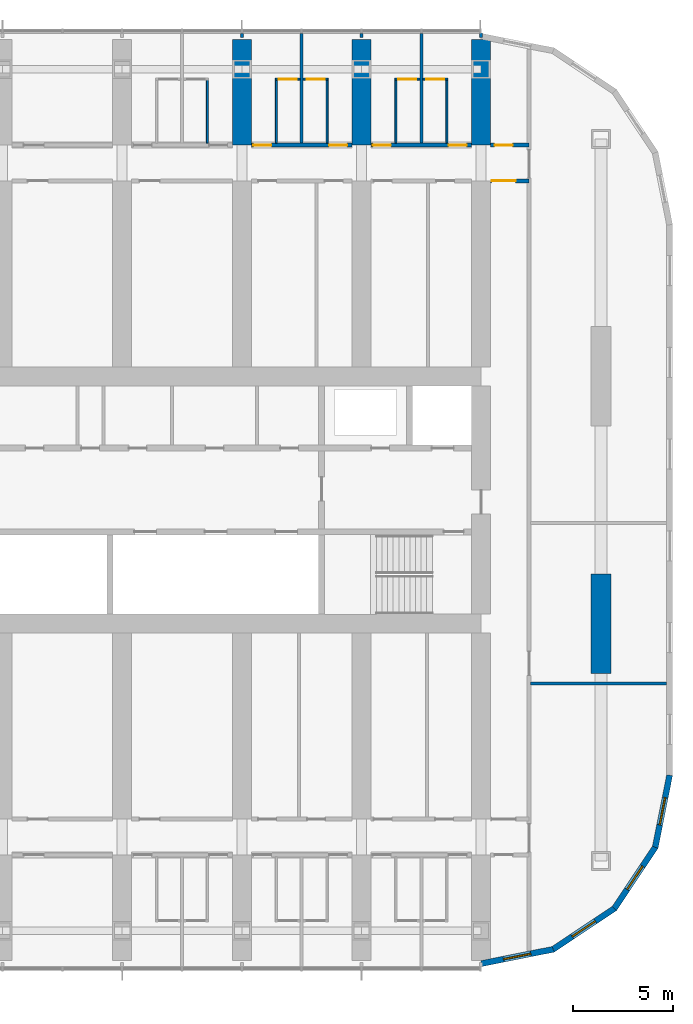
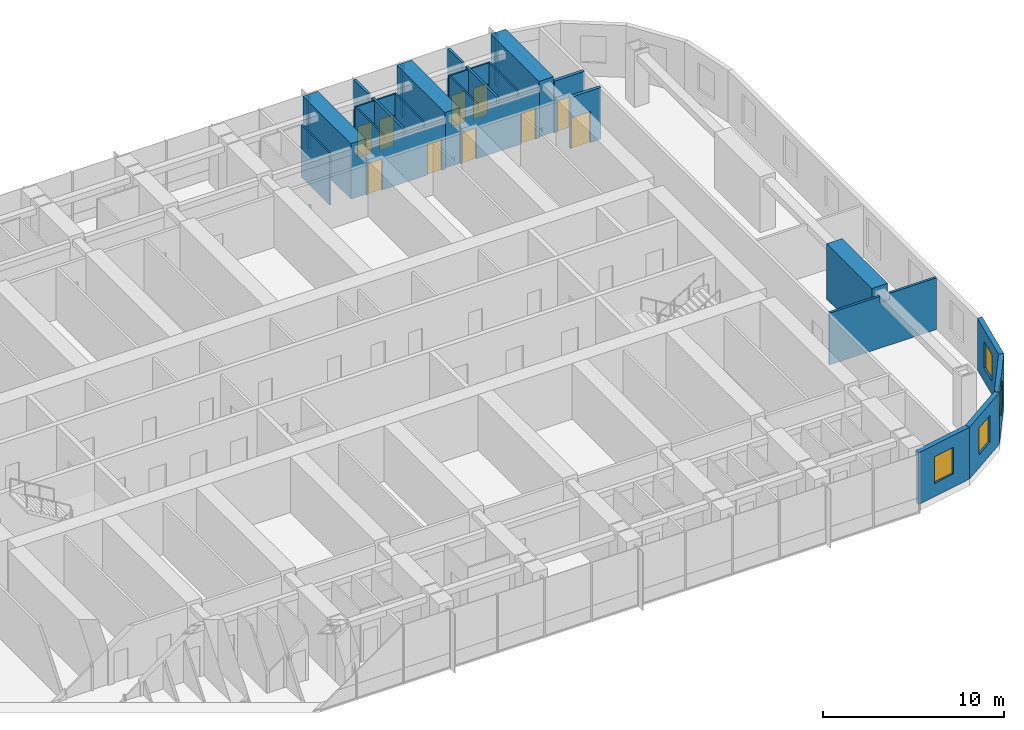
# One storey, part 18 of 26: 27 walls, 10 doors, 4 windows, 14 openings.
"""IFC4 building model written with IfcOpenShell, lengths in metres."""

from ifc_helpers import new_model, si_unit, direction, frame, frame_2d, origin, place, context, subcontext, project, spatial, polyline, rectangle, outline, extrude, material, layer, layer_set, type_object, element, fill, save


model = new_model("IFC4")

# Units and contexts
model_context = context("Model", 3, precision=1e-05, world=origin(), true_north=direction((0.0, 1.0)))
body_context = subcontext(model_context, "Body", "Model", "MODEL_VIEW")
ifc_project = project(units=[si_unit("LENGTHUNIT", "METRE"), si_unit("AREAUNIT", "SQUARE_METRE"), si_unit("VOLUMEUNIT", "CUBIC_METRE"), si_unit("PLANEANGLEUNIT", "RADIAN"), si_unit("MASSUNIT", "GRAM", prefix="KILO")], contexts=[model_context])

# Site, building, storey
site_placement = place(None, origin())
site = spatial("IfcSite", under=ifc_project, at=site_placement, CompositionType="ELEMENT")
building_placement = place(site_placement, origin())
building = spatial("IfcBuilding", under=site, at=building_placement, Name="Orbita Commons", CompositionType="ELEMENT")
storey_placement = place(building_placement, frame((0.0, 0.0, 114.39990234375)))
storey = spatial("IfcBuildingStorey", under=building, at=storey_placement, Name="L28", CompositionType="ELEMENT", Elevation=114.39990234375)

# Wall, openings, doors
ifc_material_1 = material(Name="Concrete blockwork", Category="masonry")
ifc_layer_1 = layer(ifc_material_1, 0.199951171875)
ifc_layer_set_1 = layer_set([ifc_layer_1], Name="Concrete blockwork")
wall_type_1 = type_object("IfcWallType", Name="Corridor wall 200 blockwork", PredefinedType="SOLIDWALL", material=ifc_layer_set_1)
wall_1_placement = place(storey_placement, frame((54.47509765625, 49.800048828125, 0.0), z_axis=(0.0, 0.0, 1.0), x_axis=(1.0, 0.0, 0.0)))
wall_1 = element("IfcWall", 1, at=wall_1_placement, inside=storey, type_object=wall_type_1, Name="Corridor wall 200 blockwork L28", PredefinedType="SOLIDWALL", context=body_context, shape_type="SweptSolid", body=[
    extrude(outline(polyline([(0.0, 0.0), (5.0498046875, 0.0), (5.050048828125, 3.10009765625), (0.0, 3.10009765625), (0.0, 0.0)])), frame((0.0, 0.10009765625, 0.0), z_axis=(0.0, -1.0, 0.0), x_axis=(1.0, 0.0, 0.0)), (0.0, 0.0, 1.0), 0.199951171875),
])
opening_1_placement = place(wall_1_placement, frame((0.10009765625, 0.0, 0.0)))
opening_1 = element("IfcOpeningElement", 2, at=opening_1_placement, cuts=wall_1, Name="Opening D11", PredefinedType="OPENING", context=body_context, shape_type="SweptSolid", body=[
    extrude(rectangle(XDim=0.89990234375, YDim=2.10009765625, at=frame_2d((0.449951171875, 1.050048828125))), frame((0.0, 0.10986328125, 0.0), z_axis=(0.0, -1.0, 0.0), x_axis=(1.0, 0.0, 0.0)), (0.0, 0.0, 1.0), 0.219970703125),
])
opening_2_placement = place(wall_1_placement, frame((3.89990234375, 0.0, 0.0)))
opening_2 = element("IfcOpeningElement", 3, at=opening_2_placement, cuts=wall_1, Name="Opening D11", PredefinedType="OPENING", context=body_context, shape_type="SweptSolid", body=[
    extrude(rectangle(XDim=0.89990234375, YDim=2.10009765625, at=frame_2d((0.449951171875, 1.050048828125))), frame((0.0, 0.10986328125, 0.0), z_axis=(0.0, -1.0, 0.0), x_axis=(1.0, 0.0, 0.0)), (0.0, 0.0, 1.0), 0.219970703125),
])
ifc_material_2 = material(Name="Steel-faced fire door leaf", Category="steel")
door_type_1 = type_object("IfcDoorType", Name="Corridor door 20 min 900x2100", OperationType="SINGLE_SWING_LEFT", PredefinedType="DOOR", material=ifc_material_2)
door_1_placement = place(opening_1_placement, origin())
door_1 = element("IfcDoor", 4, at=door_1_placement, inside=storey, type_object=door_type_1, Name="Cluster bedroom L28-N14 door", OperationType="SINGLE_SWING_LEFT", OverallHeight=2.10009765625, OverallWidth=0.89990234375, PredefinedType="DOOR", context=body_context, shape_type="SweptSolid", body=[
    extrude(rectangle(XDim=0.89990234375, YDim=2.10009765625, at=frame_2d((0.449951171875, 1.050048828125))), frame((0.0, 0.02490234375, 0.0), z_axis=(0.0, -1.0, 0.0), x_axis=(1.0, 0.0, 0.0)), (0.0, 0.0, 1.0), 0.050048828125),
])
fill(opening_1, door_1)
door_2_placement = place(opening_2_placement, origin())
door_2 = element("IfcDoor", 5, at=door_2_placement, inside=storey, type_object=door_type_1, Name="Cluster bedroom L28-N15 door", OperationType="SINGLE_SWING_LEFT", OverallHeight=2.10009765625, OverallWidth=0.89990234375, PredefinedType="DOOR", context=body_context, shape_type="SweptSolid", body=[
    extrude(rectangle(XDim=0.89990234375, YDim=2.10009765625, at=frame_2d((0.449951171875, 1.050048828125))), frame((0.0, 0.02490234375, 0.0), z_axis=(0.0, -1.0, 0.0), x_axis=(1.0, 0.0, 0.0)), (0.0, 0.0, 1.0), 0.050048828125),
])
fill(opening_2, door_2)

wall_2_placement = place(storey_placement, frame((60.47509765625, 49.800048828125, 0.0), z_axis=(0.0, 0.0, 1.0), x_axis=(1.0, 0.0, 0.0)))
wall_2 = element("IfcWall", 6, at=wall_2_placement, inside=storey, type_object=wall_type_1, Name="Corridor wall 200 blockwork L28", PredefinedType="SOLIDWALL", context=body_context, shape_type="SweptSolid", body=[
    extrude(outline(polyline([(0.0, 0.0), (5.0498046875, 0.0), (5.050048828125, 3.10009765625), (0.0, 3.10009765625), (0.0, 0.0)])), frame((0.0, 0.10009765625, 0.0), z_axis=(0.0, -1.0, 0.0), x_axis=(1.0, 0.0, 0.0)), (0.0, 0.0, 1.0), 0.199951171875),
])
opening_3_placement = place(wall_2_placement, frame((0.10009765625, 0.0, 0.0)))
opening_3 = element("IfcOpeningElement", 7, at=opening_3_placement, cuts=wall_2, Name="Opening D11", PredefinedType="OPENING", context=body_context, shape_type="SweptSolid", body=[
    extrude(rectangle(XDim=0.89990234375, YDim=2.10009765625, at=frame_2d((0.449951171875, 1.050048828125))), frame((0.0, 0.10986328125, 0.0), z_axis=(0.0, -1.0, 0.0), x_axis=(1.0, 0.0, 0.0)), (0.0, 0.0, 1.0), 0.219970703125),
])
opening_4_placement = place(wall_2_placement, frame((3.89990234375, 0.0, 0.0)))
opening_4 = element("IfcOpeningElement", 8, at=opening_4_placement, cuts=wall_2, Name="Opening D11", PredefinedType="OPENING", context=body_context, shape_type="SweptSolid", body=[
    extrude(rectangle(XDim=0.89990234375, YDim=2.10009765625, at=frame_2d((0.449951171875, 1.050048828125))), frame((0.0, 0.10986328125, 0.0), z_axis=(0.0, -1.0, 0.0), x_axis=(1.0, 0.0, 0.0)), (0.0, 0.0, 1.0), 0.219970703125),
])
door_3_placement = place(opening_3_placement, origin())
door_3 = element("IfcDoor", 9, at=door_3_placement, inside=storey, type_object=door_type_1, Name="Cluster bedroom L28-N16 door", OperationType="SINGLE_SWING_LEFT", OverallHeight=2.10009765625, OverallWidth=0.89990234375, PredefinedType="DOOR", context=body_context, shape_type="SweptSolid", body=[
    extrude(rectangle(XDim=0.89990234375, YDim=2.10009765625, at=frame_2d((0.449951171875, 1.050048828125))), frame((0.0, 0.02490234375, 0.0), z_axis=(0.0, -1.0, 0.0), x_axis=(1.0, 0.0, 0.0)), (0.0, 0.0, 1.0), 0.050048828125),
])
fill(opening_3, door_3)
door_4_placement = place(opening_4_placement, origin())
door_4 = element("IfcDoor", 10, at=door_4_placement, inside=storey, type_object=door_type_1, Name="Cluster bedroom L28-N17 door", OperationType="SINGLE_SWING_LEFT", OverallHeight=2.10009765625, OverallWidth=0.89990234375, PredefinedType="DOOR", context=body_context, shape_type="SweptSolid", body=[
    extrude(rectangle(XDim=0.89990234375, YDim=2.10009765625, at=frame_2d((0.449951171875, 1.050048828125))), frame((0.0, 0.02490234375, 0.0), z_axis=(0.0, -1.0, 0.0), x_axis=(1.0, 0.0, 0.0)), (0.0, 0.0, 1.0), 0.050048828125),
])
fill(opening_4, door_4)

# Wall, opening, door
wall_3_placement = place(storey_placement, frame((66.47509765625, 49.800048828125, 0.0), z_axis=(0.0, 0.0, 1.0), x_axis=(1.0, 0.0, 0.0)))
wall_3 = element("IfcWall", 11, at=wall_3_placement, inside=storey, type_object=wall_type_1, Name="Corridor wall 200 blockwork L28", PredefinedType="SOLIDWALL", context=body_context, shape_type="SweptSolid", body=[
    extrude(rectangle(XDim=1.9248046875, YDim=0.199951171875, at=frame_2d((0.96240234375, 0.0))), origin(), (0.0, 0.0, 1.0), 3.5),
])
opening_5_placement = place(wall_3_placement, frame((0.199951171875, 0.0, 0.0)))
opening_5 = element("IfcOpeningElement", 12, at=opening_5_placement, cuts=wall_3, Name="Opening D05", PredefinedType="OPENING", context=body_context, shape_type="SweptSolid", body=[
    extrude(rectangle(XDim=0.89990234375, YDim=2.10009765625, at=frame_2d((0.449951171875, 1.050048828125))), frame((0.0, 0.10986328125, 0.0), z_axis=(0.0, -1.0, 0.0), x_axis=(1.0, 0.0, 0.0)), (0.0, 0.0, 1.0), 0.219970703125),
])
ifc_material_3 = material(Name="Steel-faced fire door leaf", Category="steel")
door_type_2 = type_object("IfcDoorType", Name="Service door 20 min 900x2100", OperationType="SINGLE_SWING_LEFT", PredefinedType="DOOR", material=ifc_material_3)
door_5_placement = place(opening_5_placement, origin())
door_5 = element("IfcDoor", 13, at=door_5_placement, inside=storey, type_object=door_type_2, Name="Linen store L28-KEN door", OperationType="SINGLE_SWING_LEFT", OverallHeight=2.10009765625, OverallWidth=0.89990234375, PredefinedType="DOOR", context=body_context, shape_type="SweptSolid", body=[
    extrude(rectangle(XDim=0.89990234375, YDim=2.10009765625, at=frame_2d((0.449951171875, 1.050048828125))), frame((0.0, 0.02490234375, 0.0), z_axis=(0.0, -1.0, 0.0), x_axis=(1.0, 0.0, 0.0)), (0.0, 0.0, 1.0), 0.050048828125),
])
fill(opening_5, door_5)

ifc_material_4 = material(Name="Hollow concrete block 200", Category="concrete")
ifc_layer_2 = layer(ifc_material_4, 0.199951171875)
ifc_layer_set_2 = layer_set([ifc_layer_2], Name="Hollow concrete block 200")
wall_type_2 = type_object("IfcWallType", Name="Corridor wall 200 hollow concrete block", PredefinedType="SOLIDWALL", material=ifc_layer_set_2)
wall_4_placement = place(storey_placement, frame((66.47509765625, 48.0, 0.0), z_axis=(0.0, 0.0, 1.0), x_axis=(1.0, 0.0, 0.0)))
wall_4 = element("IfcWall", 14, at=wall_4_placement, inside=storey, type_object=wall_type_2, Name="Corridor wall 200 hollow concrete block L28", PredefinedType="SOLIDWALL", context=body_context, shape_type="SweptSolid", body=[
    extrude(rectangle(XDim=1.9248046875, YDim=0.199951171875, at=frame_2d((0.96240234375, 0.0))), origin(), (0.0, 0.0, 1.0), 3.5),
])
opening_6_placement = place(wall_4_placement, frame((0.050048828125, 0.0, 0.0)))
opening_6 = element("IfcOpeningElement", 15, at=opening_6_placement, cuts=wall_4, Name="Opening D12", PredefinedType="OPENING", context=body_context, shape_type="SweptSolid", body=[
    extrude(rectangle(XDim=1.199951171875, YDim=2.10009765625, at=frame_2d((0.60009765625, 1.050048828125))), frame((0.0, 0.10986328125, 0.0), z_axis=(0.0, -1.0, 0.0), x_axis=(1.0, 0.0, 0.0)), (0.0, 0.0, 1.0), 0.219970703125),
])
ifc_material_5 = material(Name="Steel-faced fire door leaf", Category="steel")
door_type_3 = type_object("IfcDoorType", Name="Double corridor door 20 min 1200x2100", OperationType="DOUBLE_DOOR_SINGLE_SWING", PredefinedType="DOOR", material=ifc_material_5)
door_6_placement = place(opening_6_placement, origin())
door_6 = element("IfcDoor", 16, at=door_6_placement, inside=storey, type_object=door_type_3, Name="Cross corridor doors", OperationType="DOUBLE_DOOR_SINGLE_SWING", OverallHeight=2.10009765625, OverallWidth=1.199951171875, PredefinedType="DOOR", context=body_context, shape_type="SweptSolid", body=[
    extrude(rectangle(XDim=1.199951171875, YDim=2.10009765625, at=frame_2d((0.60009765625, 1.050048828125))), frame((0.0, 0.02490234375, 0.0), z_axis=(0.0, -1.0, 0.0), x_axis=(1.0, 0.0, 0.0)), (0.0, 0.0, 1.0), 0.050048828125),
])
fill(opening_6, door_6)

# Walls
ifc_material_6 = material(Name="Concrete C50/60", Category="concrete")
ifc_layer_3 = layer(ifc_material_6, 0.949951171875)
ifc_layer_set_3 = layer_set([ifc_layer_3], Name="Concrete C50/60")
wall_type_3 = type_object("IfcWallType", Name="Cross wall 950 C50/60", PredefinedType="SHEAR", material=ifc_layer_set_3)
for number, where, z_axis, x_axis, name in (
    (17, (54.0, 49.800048828125, 0.0), (0.0, 0.0, 1.0), (0.0, 1.0, 0.0), "Cross wall 10 north outer L28"),
    (18, (60.0, 49.800048828125, 0.0), (0.0, 0.0, 1.0), (0.0, 1.0, 0.0), "Cross wall 11 north outer L28"),
    (19, (66.0, 49.800048828125, 0.0), (0.0, 0.0, 1.0), (0.0, 1.0, 0.0), "Cross wall 12 north outer L28"),
):
    element("IfcWall", number, at=place(storey_placement, frame(where, z_axis=z_axis, x_axis=x_axis)), inside=storey, type_object=wall_type_3, Name=name, PredefinedType="SHEAR", context=body_context, shape_type="SweptSolid", body=[
        extrude(rectangle(XDim=5.300048828125, YDim=0.949951171875, at=frame_2d((2.64990234375, 0.0))), origin(), (0.0, 0.0, 1.0), 3.75),
    ])
ifc_material_7 = material(Name="Moisture-resistant plasterboard on steel studs", Category="steel")
ifc_layer_4 = layer(ifc_material_7, 0.10009765625)
ifc_layer_set_4 = layer_set([ifc_layer_4], Name="Moisture-resistant plasterboard on steel studs")
wall_type_4 = type_object("IfcWallType", Name="En-suite partition 100", PredefinedType="PARTITIONING", material=ifc_layer_set_4)
wall_5_placement = place(storey_placement, frame((52.27490234375, 53.050048828125, 0.0), z_axis=(0.0, 0.0, 1.0), x_axis=(0.0, -1.0, 0.0)))
element("IfcWall", 20, at=wall_5_placement, inside=storey, type_object=wall_type_4, Name="En-suite partition 100 L28", PredefinedType="PARTITIONING", context=body_context, shape_type="SweptSolid", body=[
    extrude(outline(polyline([(0.0, 0.0), (3.150146484375, 0.0), (3.14990234375, 3.10009765625), (3.10205078125, 3.10009765625), (3.10009765625, 3.5), (0.0, 3.5), (0.0, 0.0)])), frame((0.0, 0.050048828125, 0.0), z_axis=(0.0, -1.0, 0.0), x_axis=(1.0, 0.0, 0.0)), (0.0, 0.0, 1.0), 0.10009765625),
])

# Wall, opening, door
wall_6_placement = place(storey_placement, frame((55.675048828125, 53.10009765625, 0.0), z_axis=(0.0, 0.0, 1.0), x_axis=(1.0, 0.0, 0.0)))
wall_6 = element("IfcWall", 21, at=wall_6_placement, inside=storey, type_object=wall_type_4, Name="En-suite partition 100 L28", PredefinedType="PARTITIONING", context=body_context, shape_type="SweptSolid", body=[
    extrude(rectangle(XDim=1.25, YDim=0.10009765625, at=frame_2d((0.625, 0.0))), origin(), (0.0, 0.0, 1.0), 3.5),
])
opening_7_placement = place(wall_6_placement, frame((0.175048828125, 0.0, 0.0)))
opening_7 = element("IfcOpeningElement", 22, at=opening_7_placement, cuts=wall_6, Name="Opening D09", PredefinedType="OPENING", context=body_context, shape_type="SweptSolid", body=[
    extrude(rectangle(XDim=0.89990234375, YDim=2.10009765625, at=frame_2d((0.449951171875, 1.050048828125))), frame((0.0, 0.06005859375, 0.0), z_axis=(0.0, -1.0, 0.0), x_axis=(1.0, 0.0, 0.0)), (0.0, 0.0, 1.0), 0.1201171875),
])
ifc_material_8 = material(Name="Laminated timber door leaf", Category="wood")
door_type_4 = type_object("IfcDoorType", Name="En-suite door 900x2100", OperationType="SINGLE_SWING_RIGHT", PredefinedType="DOOR", material=ifc_material_8)
door_7_placement = place(opening_7_placement, origin())
door_7 = element("IfcDoor", 23, at=door_7_placement, inside=storey, type_object=door_type_4, Name="En-suite L28-N14 door", OperationType="SINGLE_SWING_RIGHT", OverallHeight=2.10009765625, OverallWidth=0.89990234375, PredefinedType="DOOR", context=body_context, shape_type="SweptSolid", body=[
    extrude(rectangle(XDim=0.89990234375, YDim=2.10009765625, at=frame_2d((0.449951171875, 1.050048828125))), frame((0.0, 0.02490234375, 0.0), z_axis=(0.0, -1.0, 0.0), x_axis=(1.0, 0.0, 0.0)), (0.0, 0.0, 1.0), 0.050048828125),
])
fill(opening_7, door_7)

# Wall
wall_7_placement = place(storey_placement, frame((55.72509765625, 53.050048828125, 0.0), z_axis=(0.0, 0.0, 1.0), x_axis=(0.0, -1.0, 0.0)))
element("IfcWall", 24, at=wall_7_placement, inside=storey, type_object=wall_type_4, Name="En-suite partition 100 L28", PredefinedType="PARTITIONING", context=body_context, shape_type="SweptSolid", body=[
    extrude(outline(polyline([(0.0, 0.0), (3.150146484375, 0.0), (3.14990234375, 3.10009765625), (3.10205078125, 3.10009765625), (3.10009765625, 3.5), (0.0, 3.5), (0.0, 0.0)])), frame((0.0, 0.050048828125, 0.0), z_axis=(0.0, -1.0, 0.0), x_axis=(1.0, 0.0, 0.0)), (0.0, 0.0, 1.0), 0.10009765625),
])

# Wall, opening, door
wall_8_placement = place(storey_placement, frame((57.074951171875, 53.10009765625, 0.0), z_axis=(0.0, 0.0, 1.0), x_axis=(1.0, 0.0, 0.0)))
wall_8 = element("IfcWall", 25, at=wall_8_placement, inside=storey, type_object=wall_type_4, Name="En-suite partition 100 L28", PredefinedType="PARTITIONING", context=body_context, shape_type="SweptSolid", body=[
    extrude(rectangle(XDim=1.25, YDim=0.10009765625, at=frame_2d((0.625, 0.0))), origin(), (0.0, 0.0, 1.0), 3.5),
])
opening_8_placement = place(wall_8_placement, frame((0.175048828125, 0.0, 0.0)))
opening_8 = element("IfcOpeningElement", 26, at=opening_8_placement, cuts=wall_8, Name="Opening D09", PredefinedType="OPENING", context=body_context, shape_type="SweptSolid", body=[
    extrude(rectangle(XDim=0.89990234375, YDim=2.10009765625, at=frame_2d((0.449951171875, 1.050048828125))), frame((0.0, 0.06005859375, 0.0), z_axis=(0.0, -1.0, 0.0), x_axis=(1.0, 0.0, 0.0)), (0.0, 0.0, 1.0), 0.1201171875),
])
door_8_placement = place(opening_8_placement, origin())
door_8 = element("IfcDoor", 27, at=door_8_placement, inside=storey, type_object=door_type_4, Name="En-suite L28-N15 door", OperationType="SINGLE_SWING_RIGHT", OverallHeight=2.10009765625, OverallWidth=0.89990234375, PredefinedType="DOOR", context=body_context, shape_type="SweptSolid", body=[
    extrude(rectangle(XDim=0.89990234375, YDim=2.10009765625, at=frame_2d((0.449951171875, 1.050048828125))), frame((0.0, 0.02490234375, 0.0), z_axis=(0.0, -1.0, 0.0), x_axis=(1.0, 0.0, 0.0)), (0.0, 0.0, 1.0), 0.050048828125),
])
fill(opening_8, door_8)

# Wall
wall_9_placement = place(storey_placement, frame((58.27490234375, 53.050048828125, 0.0), z_axis=(0.0, 0.0, 1.0), x_axis=(0.0, -1.0, 0.0)))
element("IfcWall", 28, at=wall_9_placement, inside=storey, type_object=wall_type_4, Name="En-suite partition 100 L28", PredefinedType="PARTITIONING", context=body_context, shape_type="SweptSolid", body=[
    extrude(outline(polyline([(0.0, 0.0), (3.150146484375, 0.0), (3.14990234375, 3.10009765625), (3.10205078125, 3.10009765625), (3.10009765625, 3.5), (0.0, 3.5), (0.0, 0.0)])), frame((0.0, 0.050048828125, 0.0), z_axis=(0.0, -1.0, 0.0), x_axis=(1.0, 0.0, 0.0)), (0.0, 0.0, 1.0), 0.10009765625),
])

# Wall, opening, door
wall_10_placement = place(storey_placement, frame((61.675048828125, 53.10009765625, 0.0), z_axis=(0.0, 0.0, 1.0), x_axis=(1.0, 0.0, 0.0)))
wall_10 = element("IfcWall", 29, at=wall_10_placement, inside=storey, type_object=wall_type_4, Name="En-suite partition 100 L28", PredefinedType="PARTITIONING", context=body_context, shape_type="SweptSolid", body=[
    extrude(rectangle(XDim=1.25, YDim=0.10009765625, at=frame_2d((0.625, 0.0))), origin(), (0.0, 0.0, 1.0), 3.5),
])
opening_9_placement = place(wall_10_placement, frame((0.175048828125, 0.0, 0.0)))
opening_9 = element("IfcOpeningElement", 30, at=opening_9_placement, cuts=wall_10, Name="Opening D09", PredefinedType="OPENING", context=body_context, shape_type="SweptSolid", body=[
    extrude(rectangle(XDim=0.89990234375, YDim=2.10009765625, at=frame_2d((0.449951171875, 1.050048828125))), frame((0.0, 0.06005859375, 0.0), z_axis=(0.0, -1.0, 0.0), x_axis=(1.0, 0.0, 0.0)), (0.0, 0.0, 1.0), 0.1201171875),
])
door_9_placement = place(opening_9_placement, origin())
door_9 = element("IfcDoor", 31, at=door_9_placement, inside=storey, type_object=door_type_4, Name="En-suite L28-N16 door", OperationType="SINGLE_SWING_RIGHT", OverallHeight=2.10009765625, OverallWidth=0.89990234375, PredefinedType="DOOR", context=body_context, shape_type="SweptSolid", body=[
    extrude(rectangle(XDim=0.89990234375, YDim=2.10009765625, at=frame_2d((0.449951171875, 1.050048828125))), frame((0.0, 0.02490234375, 0.0), z_axis=(0.0, -1.0, 0.0), x_axis=(1.0, 0.0, 0.0)), (0.0, 0.0, 1.0), 0.050048828125),
])
fill(opening_9, door_9)

# Wall
wall_11_placement = place(storey_placement, frame((61.72509765625, 53.050048828125, 0.0), z_axis=(0.0, 0.0, 1.0), x_axis=(0.0, -1.0, 0.0)))
element("IfcWall", 32, at=wall_11_placement, inside=storey, type_object=wall_type_4, Name="En-suite partition 100 L28", PredefinedType="PARTITIONING", context=body_context, shape_type="SweptSolid", body=[
    extrude(outline(polyline([(0.0, 0.0), (3.150146484375, 0.0), (3.14990234375, 3.10009765625), (3.10205078125, 3.10009765625), (3.10009765625, 3.5), (0.0, 3.5), (0.0, 0.0)])), frame((0.0, 0.050048828125, 0.0), z_axis=(0.0, -1.0, 0.0), x_axis=(1.0, 0.0, 0.0)), (0.0, 0.0, 1.0), 0.10009765625),
])

# Wall, opening, door
wall_12_placement = place(storey_placement, frame((63.074951171875, 53.10009765625, 0.0), z_axis=(0.0, 0.0, 1.0), x_axis=(1.0, 0.0, 0.0)))
wall_12 = element("IfcWall", 33, at=wall_12_placement, inside=storey, type_object=wall_type_4, Name="En-suite partition 100 L28", PredefinedType="PARTITIONING", context=body_context, shape_type="SweptSolid", body=[
    extrude(rectangle(XDim=1.25, YDim=0.10009765625, at=frame_2d((0.625, 0.0))), origin(), (0.0, 0.0, 1.0), 3.5),
])
opening_10_placement = place(wall_12_placement, frame((0.175048828125, 0.0, 0.0)))
opening_10 = element("IfcOpeningElement", 34, at=opening_10_placement, cuts=wall_12, Name="Opening D09", PredefinedType="OPENING", context=body_context, shape_type="SweptSolid", body=[
    extrude(rectangle(XDim=0.89990234375, YDim=2.10009765625, at=frame_2d((0.449951171875, 1.050048828125))), frame((0.0, 0.06005859375, 0.0), z_axis=(0.0, -1.0, 0.0), x_axis=(1.0, 0.0, 0.0)), (0.0, 0.0, 1.0), 0.1201171875),
])
door_10_placement = place(opening_10_placement, origin())
door_10 = element("IfcDoor", 35, at=door_10_placement, inside=storey, type_object=door_type_4, Name="En-suite L28-N17 door", OperationType="SINGLE_SWING_RIGHT", OverallHeight=2.10009765625, OverallWidth=0.89990234375, PredefinedType="DOOR", context=body_context, shape_type="SweptSolid", body=[
    extrude(rectangle(XDim=0.89990234375, YDim=2.10009765625, at=frame_2d((0.449951171875, 1.050048828125))), frame((0.0, 0.02490234375, 0.0), z_axis=(0.0, -1.0, 0.0), x_axis=(1.0, 0.0, 0.0)), (0.0, 0.0, 1.0), 0.050048828125),
])
fill(opening_10, door_10)

# Walls
wall_13_placement = place(storey_placement, frame((64.27490234375, 53.050048828125, 0.0), z_axis=(0.0, 0.0, 1.0), x_axis=(0.0, -1.0, 0.0)))
element("IfcWall", 36, at=wall_13_placement, inside=storey, type_object=wall_type_4, Name="En-suite partition 100 L28", PredefinedType="PARTITIONING", context=body_context, shape_type="SweptSolid", body=[
    extrude(outline(polyline([(0.0, 0.0), (3.150146484375, 0.0), (3.14990234375, 3.10009765625), (3.10205078125, 3.10009765625), (3.10009765625, 3.5), (0.0, 3.5), (0.0, 0.0)])), frame((0.0, 0.050048828125, 0.0), z_axis=(0.0, -1.0, 0.0), x_axis=(1.0, 0.0, 0.0)), (0.0, 0.0, 1.0), 0.10009765625),
])
ifc_material_9 = material(Name="Concrete C50/60", Category="concrete")
ifc_layer_5 = layer(ifc_material_9, 1.0)
ifc_layer_set_5 = layer_set([ifc_layer_5], Name="Concrete C50/60")
wall_type_5 = type_object("IfcWallType", Name="End pier 1000x5000 C50/60", PredefinedType="SHEAR", material=ifc_layer_set_5)
wall_14_placement = place(storey_placement, frame((72.0, 23.300048828125, 0.0), z_axis=(0.0, 0.0, 1.0), x_axis=(0.0, 1.0, 0.0)))
element("IfcWall", 37, at=wall_14_placement, inside=storey, type_object=wall_type_5, Name="End pier 13/C L28", PredefinedType="SHEAR", context=body_context, shape_type="SweptSolid", body=[
    extrude(rectangle(XDim=5.0, YDim=1.0, at=frame_2d((2.5, 0.0))), origin(), (0.0, 0.0, 1.0), 3.75),
])
ifc_material_10 = material(Name="Gypsum plasterboard on steel studs", Category="steel")
ifc_layer_6 = layer(ifc_material_10, 0.14990234375)
ifc_layer_set_6 = layer_set([ifc_layer_6], Name="Gypsum plasterboard on steel studs")
wall_type_6 = type_object("IfcWallType", Name="Partition 150 plasterboard", PredefinedType="PARTITIONING", material=ifc_layer_set_6)
wall_15_placement = place(storey_placement, frame((68.47509765625, 22.800048828125, 0.0), z_axis=(0.0, 0.0, 1.0), x_axis=(1.0, 0.0, 0.0)))
element("IfcWall", 38, at=wall_15_placement, inside=storey, type_object=wall_type_6, Name="Partition 150 plasterboard L28", PredefinedType="PARTITIONING", context=body_context, shape_type="SweptSolid", body=[
    extrude(outline(polyline([(0.0, 0.0), (6.81982421875, 0.0), (6.820068359375, 3.5), (3.826904296875, 3.5), (3.824951171875, 3.050048828125), (3.22705078125, 3.050048828125), (3.22509765625, 3.5), (0.0, 3.5), (0.0, 0.0)])), frame((0.0, 0.074951171875, 0.0), z_axis=(0.0, -1.0, 0.0), x_axis=(1.0, 0.0, 0.0)), (0.0, 0.0, 1.0), 0.14990234375),
])
for number, where, z_axis, x_axis, name in (
    (39, (54.0, 55.199951171875, 0.0), (0.0, 0.0, 1.0), (0.0, 1.0, 0.0), "Partition 150 plasterboard L28"),
    (40, (60.0, 55.199951171875, 0.0), (0.0, 0.0, 1.0), (0.0, 1.0, 0.0), "Partition 150 plasterboard L28"),
):
    element("IfcWall", number, at=place(storey_placement, frame(where, z_axis=z_axis, x_axis=x_axis)), inside=storey, type_object=wall_type_6, Name=name, PredefinedType="PARTITIONING", context=body_context, shape_type="SweptSolid", body=[
        extrude(rectangle(XDim=0.18994140625, YDim=0.14990234375, at=frame_2d((0.094970703125, 0.0))), origin(), (0.0, 0.0, 1.0), 3.5),
    ])
wall_16_placement = place(storey_placement, frame((66.0, 55.199951171875, 0.0), z_axis=(0.0, 0.0, 1.0), x_axis=(0.0, 1.0, 0.0)))
element("IfcWall", 41, at=wall_16_placement, inside=storey, type_object=wall_type_6, Name="Partition 150 plasterboard L28", PredefinedType="PARTITIONING", context=body_context, shape_type="SweptSolid", body=[
    extrude(rectangle(XDim=0.219970703125, YDim=0.14990234375, at=frame_2d((0.10986328125, 0.0))), origin(), (0.0, 0.0, 1.0), 3.5),
])
ifc_material_11 = material(Name="Gypsum plasterboard on steel studs", Category="steel")
ifc_layer_7 = layer(ifc_material_11, 0.14990234375)
ifc_layer_set_7 = layer_set([ifc_layer_7], Name="Gypsum plasterboard on steel studs")
wall_type_7 = type_object("IfcWallType", Name="Party wall 150 plasterboard", PredefinedType="PARTITIONING", material=ifc_layer_set_7)
for number, where, z_axis, x_axis, name in (
    (42, (57.0, 55.389892578125, 0.0), (0.0, 0.0, 1.0), (0.0, -1.0, 0.0), "Party wall 150 plasterboard L28"),
    (43, (63.0, 55.389892578125, 0.0), (0.0, 0.0, 1.0), (0.0, -1.0, 0.0), "Party wall 150 plasterboard L28"),
):
    element("IfcWall", number, at=place(storey_placement, frame(where, z_axis=z_axis, x_axis=x_axis)), inside=storey, type_object=wall_type_7, Name=name, PredefinedType="PARTITIONING", context=body_context, shape_type="SweptSolid", body=[
        extrude(outline(polyline([(0.0, 0.0), (5.489990234375, 0.0), (5.489990234375, 3.10009765625), (5.44189453125, 3.10009765625), (5.43994140625, 3.5), (1.991943359375, 3.5), (1.989990234375, 3.10009765625), (1.592041015625, 3.10009765625), (1.590087890625, 3.5), (0.0, 3.5), (0.0, 0.0)])), frame((0.0, 0.074951171875, 0.0), z_axis=(0.0, -1.0, 0.0), x_axis=(1.0, 0.0, 0.0)), (0.0, 0.0, 1.0), 0.14990234375),
    ])

# Wall, opening, window
ifc_material_12 = material(Name="Precast concrete C40/50, white board-marked finish", Category="concrete")
ifc_layer_8 = layer(ifc_material_12, 0.300048828125)
ifc_layer_set_8 = layer_set([ifc_layer_8], Name="Precast concrete C40/50, white board-marked finish")
wall_type_8 = type_object("IfcWallType", Name="Precast concrete end shield 300", PredefinedType="SOLIDWALL", material=ifc_layer_set_8)
wall_17_placement = place(storey_placement, frame((66.0, 8.75, 0.0), z_axis=(0.0, 0.0, 1.0), x_axis=(0.980791473772, 0.195059183267, 0.0)))
wall_17 = element("IfcWall", 44, at=wall_17_placement, inside=storey, type_object=wall_type_8, Name="End shield SE chord 1 L28", PredefinedType="SOLIDWALL", context=body_context, shape_type="SweptSolid", body=[
    extrude(outline(polyline([(-0.02978515625, -0.14990234375), (3.717041015625, -0.14990234375), (3.657470703125, 0.14990234375), (0.02978515625, 0.14990234375), (-0.02978515625, -0.14990234375)])), origin(), (0.0, 0.0, 1.0), 3.5),
])
opening_11_placement = place(wall_17_placement, frame((1.1435546875, 0.0, 0.89990234375)))
opening_11 = element("IfcOpeningElement", 45, at=opening_11_placement, cuts=wall_17, Name="Opening W02", PredefinedType="OPENING", context=body_context, shape_type="SweptSolid", body=[
    extrude(rectangle(XDim=1.39990234375, YDim=1.800048828125, at=frame_2d((0.699951171875, 0.89990234375))), frame((0.0, 0.159912109375, 0.0), z_axis=(0.0, -1.0, 0.0), x_axis=(1.0, 0.0, 0.0)), (0.0, 0.0, 1.0), 0.320068359375),
])
ifc_material_13 = material(Name="Aluminium frame, clear double glazing", Category="aluminium")
window_type = type_object("IfcWindowType", Name="Deep-set window 1400x1800", PartitioningType="SINGLE_PANEL", PredefinedType="WINDOW", material=ifc_material_13)
window_1_placement = place(opening_11_placement, origin())
window_1 = element("IfcWindow", 46, at=window_1_placement, inside=storey, type_object=window_type, Name="Window L28-SE0", OverallHeight=1.800048828125, OverallWidth=1.39990234375, PartitioningType="SINGLE_PANEL", PredefinedType="WINDOW", context=body_context, shape_type="SweptSolid", body=[
    extrude(rectangle(XDim=1.39990234375, YDim=1.800048828125, at=frame_2d((0.699951171875, 0.89990234375))), frame((0.0, 0.030029296875, 0.0), z_axis=(0.0, -1.0, 0.0), x_axis=(1.0, 0.0, 0.0)), (0.0, 0.0, 1.0), 0.06005859375),
])
fill(opening_11, window_1)

wall_18_placement = place(storey_placement, frame((69.616455078125, 9.46923828125, 0.0), z_axis=(0.0, 0.0, 1.0), x_axis=(0.831448786846, 0.555601399253, 0.0)))
wall_18 = element("IfcWall", 47, at=wall_18_placement, inside=storey, type_object=wall_type_8, Name="End shield SE chord 2 L28", PredefinedType="SOLIDWALL", context=body_context, shape_type="SweptSolid", body=[
    extrude(outline(polyline([(-0.02978515625, -0.14990234375), (3.717041015625, -0.14990234375), (3.657470703125, 0.14990234375), (0.02978515625, 0.14990234375), (-0.02978515625, -0.14990234375)])), origin(), (0.0, 0.0, 1.0), 3.5),
])
opening_12_placement = place(wall_18_placement, frame((1.1435546875, 0.0, 0.89990234375)))
opening_12 = element("IfcOpeningElement", 48, at=opening_12_placement, cuts=wall_18, Name="Opening W02", PredefinedType="OPENING", context=body_context, shape_type="SweptSolid", body=[
    extrude(rectangle(XDim=1.39990234375, YDim=1.800048828125, at=frame_2d((0.699951171875, 0.89990234375))), frame((0.0, 0.159912109375, 0.0), z_axis=(0.0, -1.0, 0.0), x_axis=(1.0, 0.0, 0.0)), (0.0, 0.0, 1.0), 0.320068359375),
])
window_2_placement = place(opening_12_placement, origin())
window_2 = element("IfcWindow", 49, at=window_2_placement, inside=storey, type_object=window_type, Name="Window L28-SE1", OverallHeight=1.800048828125, OverallWidth=1.39990234375, PartitioningType="SINGLE_PANEL", PredefinedType="WINDOW", context=body_context, shape_type="SweptSolid", body=[
    extrude(rectangle(XDim=1.39990234375, YDim=1.800048828125, at=frame_2d((0.699951171875, 0.89990234375))), frame((0.0, 0.030029296875, 0.0), z_axis=(0.0, -1.0, 0.0), x_axis=(1.0, 0.0, 0.0)), (0.0, 0.0, 1.0), 0.06005859375),
])
fill(opening_12, window_2)

wall_19_placement = place(storey_placement, frame((72.68212890625, 11.517822265625, 0.0), z_axis=(0.0, 0.0, 1.0), x_axis=(0.555601399253, 0.831448786846, 0.0)))
wall_19 = element("IfcWall", 50, at=wall_19_placement, inside=storey, type_object=wall_type_8, Name="End shield SE chord 3 L28", PredefinedType="SOLIDWALL", context=body_context, shape_type="SweptSolid", body=[
    extrude(outline(polyline([(-0.02978515625, -0.14990234375), (3.717041015625, -0.14990234375), (3.657470703125, 0.14990234375), (0.02978515625, 0.14990234375), (-0.02978515625, -0.14990234375)])), origin(), (0.0, 0.0, 1.0), 3.5),
])
opening_13_placement = place(wall_19_placement, frame((1.1435546875, 0.0, 0.89990234375)))
opening_13 = element("IfcOpeningElement", 51, at=opening_13_placement, cuts=wall_19, Name="Opening W02", PredefinedType="OPENING", context=body_context, shape_type="SweptSolid", body=[
    extrude(rectangle(XDim=1.39990234375, YDim=1.800048828125, at=frame_2d((0.699951171875, 0.89990234375))), frame((0.0, 0.159912109375, 0.0), z_axis=(0.0, -1.0, 0.0), x_axis=(1.0, 0.0, 0.0)), (0.0, 0.0, 1.0), 0.320068359375),
])
window_3_placement = place(opening_13_placement, origin())
window_3 = element("IfcWindow", 52, at=window_3_placement, inside=storey, type_object=window_type, Name="Window L28-SE2", OverallHeight=1.800048828125, OverallWidth=1.39990234375, PartitioningType="SINGLE_PANEL", PredefinedType="WINDOW", context=body_context, shape_type="SweptSolid", body=[
    extrude(rectangle(XDim=1.39990234375, YDim=1.800048828125, at=frame_2d((0.699951171875, 0.89990234375))), frame((0.0, 0.030029296875, 0.0), z_axis=(0.0, -1.0, 0.0), x_axis=(1.0, 0.0, 0.0)), (0.0, 0.0, 1.0), 0.06005859375),
])
fill(opening_13, window_3)

wall_20_placement = place(storey_placement, frame((74.730712890625, 14.58349609375, 0.0), z_axis=(0.0, 0.0, 1.0), x_axis=(0.195059183267, 0.980791473772, 0.0)))
wall_20 = element("IfcWall", 53, at=wall_20_placement, inside=storey, type_object=wall_type_8, Name="End shield SE chord 4 L28", PredefinedType="SOLIDWALL", context=body_context, shape_type="SweptSolid", body=[
    extrude(outline(polyline([(-0.02978515625, -0.14990234375), (3.7021484375, -0.14990234375), (3.67236328125, 0.14990234375), (0.02978515625, 0.14990234375), (-0.02978515625, -0.14990234375)])), origin(), (0.0, 0.0, 1.0), 3.5),
])
opening_14_placement = place(wall_20_placement, frame((1.1435546875, 0.0, 0.89990234375)))
opening_14 = element("IfcOpeningElement", 54, at=opening_14_placement, cuts=wall_20, Name="Opening W02", PredefinedType="OPENING", context=body_context, shape_type="SweptSolid", body=[
    extrude(rectangle(XDim=1.39990234375, YDim=1.800048828125, at=frame_2d((0.699951171875, 0.89990234375))), frame((0.0, 0.159912109375, 0.0), z_axis=(0.0, -1.0, 0.0), x_axis=(1.0, 0.0, 0.0)), (0.0, 0.0, 1.0), 0.320068359375),
])
window_4_placement = place(opening_14_placement, origin())
window_4 = element("IfcWindow", 55, at=window_4_placement, inside=storey, type_object=window_type, Name="Window L28-SE3", OverallHeight=1.800048828125, OverallWidth=1.39990234375, PartitioningType="SINGLE_PANEL", PredefinedType="WINDOW", context=body_context, shape_type="SweptSolid", body=[
    extrude(rectangle(XDim=1.39990234375, YDim=1.800048828125, at=frame_2d((0.699951171875, 0.89990234375))), frame((0.0, 0.030029296875, 0.0), z_axis=(0.0, -1.0, 0.0), x_axis=(1.0, 0.0, 0.0)), (0.0, 0.0, 1.0), 0.06005859375),
])
fill(opening_14, window_4)

save(model, "model.ifc")
